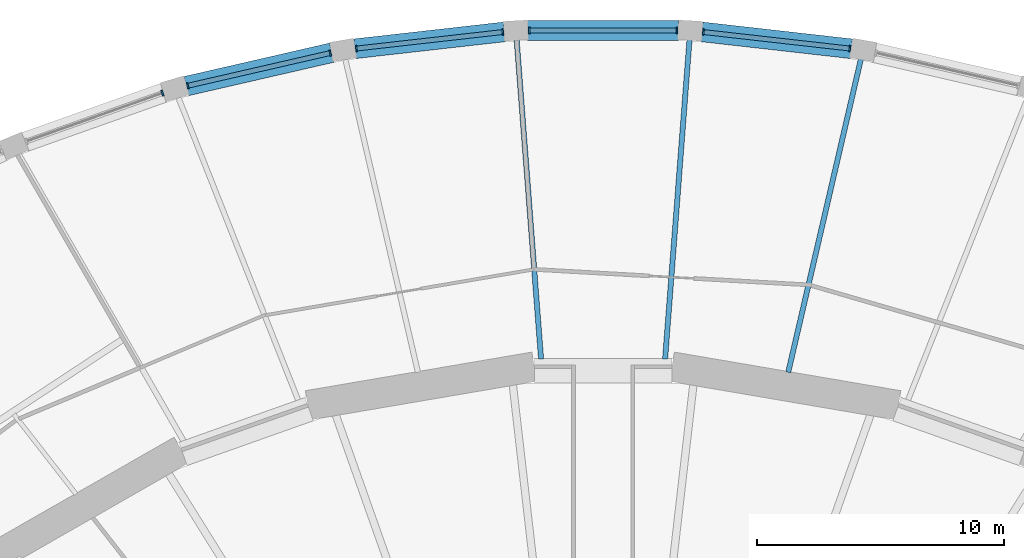
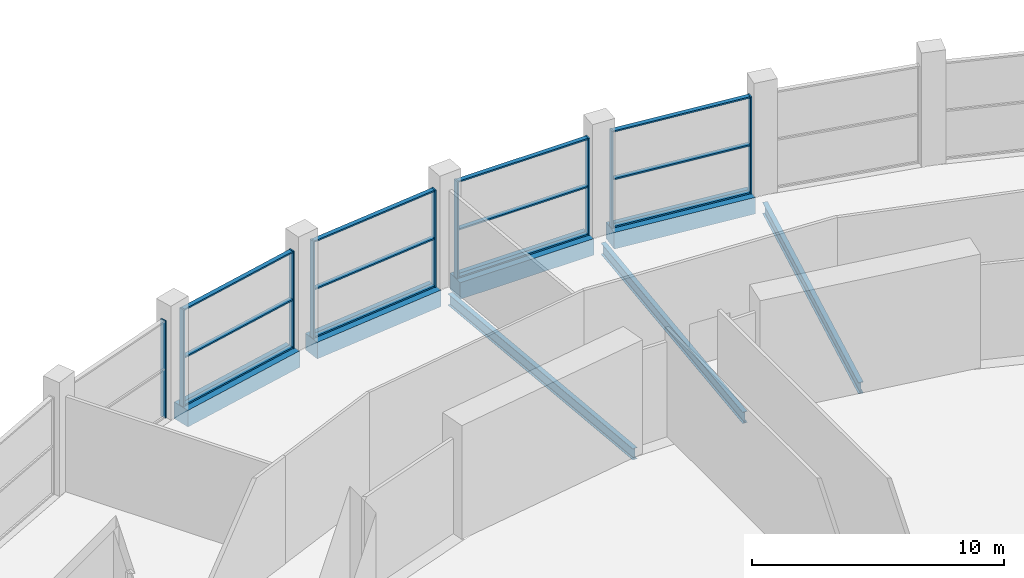
# One storey, part 14 of 26: 21 members, 7 beams, 5 elements without a shape of their own.
"""IFC4 building model written with IfcOpenShell, lengths in metres."""

import ifcopenshell
import ifcopenshell.guid

model = None  # the IFC model being written
_history = None  # IfcOwnerHistory: only IFC2X3 demands one
_inside = {}  # id of a spatial element -> (the spatial element, [elements in it])
_under = {}  # id of a project, library or spatial element -> (it, [spatial elements below it])
_declared = {}  # id of a project -> (the project, [libraries it declares])
_typed = {}  # id of a type object -> (the type object, [elements of that type])
_made_of = {}  # id of a material, layer set ... -> (it, [elements and type objects made of it])


def new_model(schema):
    """Start an empty IFC model of exactly this schema.

    Asked for "IFC4X3", IfcOpenShell would pick the latest addendum, in which some entities
    have other attributes; the version numbers below select the first issue.
    IFC2X3 requires an IfcOwnerHistory on every rooted entity: one is made here for all.
    """
    global model, _history
    if schema == "IFC4X3":
        model = ifcopenshell.file(schema_version=(4, 3, 0, 0))
    else:
        model = ifcopenshell.file(schema=schema)
    _inside.clear()
    _under.clear()
    _declared.clear()
    _typed.clear()
    _made_of.clear()
    _history = None
    if model.schema == "IFC2X3":
        org = make("IfcOrganization", Name="unknown")
        user = make(
            "IfcPersonAndOrganization",
            ThePerson=make("IfcPerson", FamilyName="unknown"),
            TheOrganization=org,
        )
        app = make(
            "IfcApplication",
            ApplicationDeveloper=org,
            Version="unknown",
            ApplicationFullName="unknown",
            ApplicationIdentifier="unknown",
        )
        _history = make(
            "IfcOwnerHistory",
            OwningUser=user,
            OwningApplication=app,
            ChangeAction="ADDED",
            CreationDate=0,
        )
    return model


def make(cls, **values):
    """One entity of the class cls with the attributes given. An attribute that is None is left unset."""
    return model.create_entity(
        cls, **{name: value for name, value in values.items() if value is not None}
    )


def rooted(cls, **values):
    """An entity with a GlobalId (a new one), such as an element, a storey or a relation."""
    return make(cls, GlobalId=ifcopenshell.guid.new(), OwnerHistory=_history, **values)


def si_unit(unit_type, name, prefix=None):
    """IfcSIUnit, for example si_unit("LENGTHUNIT", "METRE", prefix="MILLI")."""
    return make("IfcSIUnit", UnitType=unit_type, Prefix=prefix, Name=name)


def assignment(units):
    """IfcUnitAssignment: the units of a project."""
    return None if units is None else make("IfcUnitAssignment", Units=units)


def point(xyz):
    """IfcCartesianPoint."""
    return None if xyz is None else make("IfcCartesianPoint", Coordinates=xyz)


def direction(xyz):
    """IfcDirection."""
    return None if xyz is None else make("IfcDirection", DirectionRatios=xyz)


def frame(location, z_axis=None, x_axis=None):
    """IfcAxis2Placement3D, a coordinate frame: its origin and axes. An axis left out is left unset."""
    return make(
        "IfcAxis2Placement3D",
        Location=point(location),
        Axis=direction(z_axis),
        RefDirection=direction(x_axis),
    )


def frame_2d(location, x_axis=None):
    """IfcAxis2Placement2D, a coordinate frame in the plane: its origin and x axis."""
    return make(
        "IfcAxis2Placement2D", Location=point(location), RefDirection=direction(x_axis)
    )


def origin():
    """The frame at (0, 0, 0) with its axes left unset."""
    return frame((0.0, 0.0, 0.0))


def origin_2d():
    """The frame at (0, 0) in the plane with its x axis left unset."""
    return frame_2d((0.0, 0.0))


def place(relative_to, where):
    """IfcLocalPlacement: puts the frame where relative to a parent placement (None: the world)."""
    return make(
        "IfcLocalPlacement", PlacementRelTo=relative_to, RelativePlacement=where
    )


def context(
    kind, dimensions, precision=None, world=None, true_north=None, identifier=None
):
    """IfcGeometricRepresentationContext, for example the 3D "Model" context."""
    return make(
        "IfcGeometricRepresentationContext",
        ContextIdentifier=identifier,
        ContextType=kind,
        CoordinateSpaceDimension=dimensions,
        Precision=precision,
        WorldCoordinateSystem=world,
        TrueNorth=true_north,
    )


def subcontext(parent, identifier, kind, view, scale=None):
    """IfcGeometricRepresentationSubContext, for example "Body" below "Model"."""
    return make(
        "IfcGeometricRepresentationSubContext",
        ContextIdentifier=identifier,
        ContextType=kind,
        ParentContext=parent,
        TargetScale=scale,
        TargetView=view,
    )


def project(units=None, contexts=None):
    """IfcProject with its units and contexts."""
    return rooted(
        "IfcProject",
        Name="project",
        RepresentationContexts=contexts,
        UnitsInContext=assignment(units),
    )


def spatial(cls, under=None, at=None, **own):
    """A site, building, storey or space (cls), placed at a placement, below another one or the project."""
    s = rooted(cls, ObjectPlacement=at, **own)
    if under is not None:
        _under.setdefault(under.id(), (under, []))[1].append(s)
    return s


def profile(cls, at=None, kind="AREA", **sizes):
    """A parametric profile (cls). Its sizes go by their IFC names, for example OverallWidth=200.0."""
    return make(cls, ProfileType=kind, Position=at, **sizes)


def rectangle(**sizes):
    """IfcRectangleProfileDef."""
    return profile("IfcRectangleProfileDef", **sizes)


def i_section(**sizes):
    """IfcIShapeProfileDef."""
    return profile("IfcIShapeProfileDef", **sizes)


def extrude(swept, where, along, depth):
    """IfcExtrudedAreaSolid: the profile swept, set in the frame where, extruded along a direction by depth."""
    return make(
        "IfcExtrudedAreaSolid",
        SweptArea=swept,
        Position=where,
        ExtrudedDirection=direction(along),
        Depth=depth,
    )


def shape(context_of_items, identifier, shape_type, items):
    """IfcShapeRepresentation: the items that make up one representation, for example the "Body"."""
    return make(
        "IfcShapeRepresentation",
        ContextOfItems=context_of_items,
        RepresentationIdentifier=identifier,
        RepresentationType=shape_type,
        Items=items,
    )


def material(Name=None, Category=None):
    """IfcMaterial."""
    return make("IfcMaterial", Name=Name, Category=Category)


def material_profile(
    of_material, cross_section, Name=None, Category=None, Priority=None
):
    """IfcMaterialProfile: a cross section and its material."""
    return make(
        "IfcMaterialProfile",
        Name=Name,
        Material=of_material,
        Profile=cross_section,
        Priority=Priority,
        Category=Category,
    )


def profile_set(profiles, Name=None, composite=None):
    """IfcMaterialProfileSet."""
    return make(
        "IfcMaterialProfileSet",
        Name=Name,
        MaterialProfiles=profiles,
        CompositeProfile=composite,
    )


def made_of(thing, what):
    """Note that an element or type object is made of a material, layer set ...; save() writes the relation."""
    if what is not None:
        _made_of.setdefault(what.id(), (what, []))[1].append(thing)
    return thing


def type_object(cls, material=None, **own):
    """A type object (cls), such as IfcWallType, which elements share."""
    return made_of(rooted(cls, **own), material)


def element(
    cls,
    number,
    at=None,
    inside=None,
    cuts=None,
    type_object=None,
    material=None,
    context=None,
    identifier="Body",
    shape_type=None,
    held_by="IfcProductDefinitionShape",
    body=None,
    shapes=None,
    **own,
):
    """One element of the class cls, such as IfcWall. Its Tag is "e" and its number.

    at: its placement. inside: the storey or other place that contains it. cuts: it is an
    opening in that element (IfcRelVoidsElement). A single representation is given by context,
    identifier, shape_type and body (its items); several are given by shapes. held_by: the class
    of the entity that holds the representations. save() writes the other relations.
    """
    e = rooted(cls, Tag="e%d" % number, ObjectPlacement=at, **own)
    if body is not None:
        shapes = [shape(context, identifier, shape_type, body)]
    if shapes is not None:
        e.Representation = make(held_by, Representations=shapes)
    if inside is not None:
        _inside.setdefault(inside.id(), (inside, []))[1].append(e)
    if cuts is not None:
        rooted(
            "IfcRelVoidsElement", RelatingBuildingElement=cuts, RelatedOpeningElement=e
        )
    if type_object is not None:
        _typed.setdefault(type_object.id(), (type_object, []))[1].append(e)
    return made_of(e, material)


def aggregate(whole, parts):
    """IfcRelAggregates: a whole, such as a stair, and the parts it consists of."""
    return rooted("IfcRelAggregates", RelatingObject=whole, RelatedObjects=parts)


def save(model, path):
    """Write the relations noted so far, then the file.

    IfcRelAggregates (storeys below a building ...), IfcRelContainedInSpatialStructure (elements
    in a storey), IfcRelDefinesByType, IfcRelAssociatesMaterial and IfcRelDeclares: one each for
    every whole, place, type object, material and project.
    """
    for whole, parts in _under.values():
        aggregate(whole, parts)
    for where, things in _inside.values():
        rooted(
            "IfcRelContainedInSpatialStructure",
            RelatedElements=things,
            RelatingStructure=where,
        )
    for kind, things in _typed.values():
        rooted("IfcRelDefinesByType", RelatedObjects=things, RelatingType=kind)
    for what, things in _made_of.values():
        rooted("IfcRelAssociatesMaterial", RelatedObjects=things, RelatingMaterial=what)
    for by, libraries in _declared.values():
        rooted("IfcRelDeclares", RelatingContext=by, RelatedDefinitions=libraries)
    model.write(path)


model = new_model("IFC4")

# Units and contexts
model_context = context("Model", 3, precision=1e-05, world=origin(), true_north=direction((0.0, 1.0)))
body_context = subcontext(model_context, "Body", "Model", "MODEL_VIEW")
ifc_project = project(units=[si_unit("LENGTHUNIT", "METRE"), si_unit("AREAUNIT", "SQUARE_METRE"), si_unit("VOLUMEUNIT", "CUBIC_METRE"), si_unit("PLANEANGLEUNIT", "RADIAN"), si_unit("MASSUNIT", "GRAM", prefix="KILO")], contexts=[model_context])

# Site, building, storey
site_placement = place(None, origin())
site = spatial("IfcSite", under=ifc_project, at=site_placement, CompositionType="ELEMENT")
building_placement = place(site_placement, origin())
building = spatial("IfcBuilding", under=site, at=building_placement, Name="Halqa Exchange Tower", CompositionType="ELEMENT")
storey_placement = place(building_placement, frame((0.0, 0.0, 18.0)))
storey = spatial("IfcBuildingStorey", under=building, at=storey_placement, Name="L03", CompositionType="ELEMENT", Elevation=18.0)

# Curtain wall, members
ifc_material_1 = material(Name="Anodised aluminium and clear glass", Category="aluminium")
curtain_wall_type = type_object("IfcCurtainWallType", Name="Exchange hall glazing", PredefinedType="NOTDEFINED", material=ifc_material_1)
curtain_wall_1_placement = place(storey_placement, origin())
curtain_wall_1 = element("IfcCurtainWall", 1, at=curtain_wall_1_placement, inside=storey, type_object=curtain_wall_type, Name="Exchange hall glazing run P11", PredefinedType="NOTDEFINED")
ifc_material_2 = material(Name="Anodised aluminium", Category="aluminium")
ifc_material_profile_1 = material_profile(ifc_material_2, rectangle(XDim=0.25, YDim=0.070068359375, at=origin_2d()), Name="AL 70x250")
ifc_profile_set_1 = profile_set([ifc_material_profile_1], Name="Anodised aluminium")
member_type_1 = type_object("IfcMemberType", Name="Exchange hall glazing mullion 70 x 250", PredefinedType="MULLION", material=ifc_profile_set_1)
member_1_placement = place(storey_placement, frame((10.00341796875, 45.470458984375, 0.0), z_axis=(0.0, 0.0, 1.0), x_axis=(-0.112159098874, -0.993690261872, 0.0)))
member_1 = element("IfcMember", 2, at=member_1_placement, type_object=member_type_1, Name="P11 mullion 1", PredefinedType="MULLION", context=body_context, shape_type="SweptSolid", body=[
    extrude(rectangle(XDim=0.25, YDim=0.070068359375, at=origin_2d()), origin(), (0.0, 0.0, 1.0), 4.699951171875),
])
member_2_placement = place(storey_placement, frame((4.0634765625, 46.140869140625, 0.0), z_axis=(0.0, 0.0, 1.0), x_axis=(-0.112159098874, -0.993690261872, 0.0)))
member_2 = element("IfcMember", 3, at=member_2_placement, type_object=member_type_1, Name="P11 mullion 2", PredefinedType="MULLION", context=body_context, shape_type="SweptSolid", body=[
    extrude(rectangle(XDim=0.25, YDim=0.070068359375, at=origin_2d()), origin(), (0.0, 0.0, 1.0), 4.699951171875),
])

curtain_wall_2_placement = place(storey_placement, origin())
curtain_wall_2 = element("IfcCurtainWall", 4, at=curtain_wall_2_placement, inside=storey, type_object=curtain_wall_type, Name="Exchange hall glazing run P12", PredefinedType="NOTDEFINED")
member_3_placement = place(storey_placement, frame((2.996826171875, 46.200927734375, 0.0), z_axis=(0.0, 0.0, 1.0), x_axis=(0.0, -1.0, 0.0)))
member_3 = element("IfcMember", 5, at=member_3_placement, type_object=member_type_1, Name="P12 mullion 1", PredefinedType="MULLION", context=body_context, shape_type="SweptSolid", body=[
    extrude(rectangle(XDim=0.25, YDim=0.070068359375, at=origin_2d()), origin(), (0.0, 0.0, 1.0), 4.699951171875),
])
member_4_placement = place(storey_placement, frame((-2.996826171875, 46.200927734375, 0.0), z_axis=(0.0, 0.0, 1.0), x_axis=(0.0, -1.0, 0.0)))
member_4 = element("IfcMember", 6, at=member_4_placement, type_object=member_type_1, Name="P12 mullion 2", PredefinedType="MULLION", context=body_context, shape_type="SweptSolid", body=[
    extrude(rectangle(XDim=0.25, YDim=0.070068359375, at=origin_2d()), origin(), (0.0, 0.0, 1.0), 4.699951171875),
])

curtain_wall_3_placement = place(storey_placement, origin())
curtain_wall_3 = element("IfcCurtainWall", 7, at=curtain_wall_3_placement, inside=storey, type_object=curtain_wall_type, Name="Exchange hall glazing run P13", PredefinedType="NOTDEFINED")
member_5_placement = place(storey_placement, frame((-4.0634765625, 46.140869140625, 0.0), z_axis=(0.0, 0.0, 1.0), x_axis=(0.112159098874, -0.993690261872, 0.0)))
member_5 = element("IfcMember", 8, at=member_5_placement, type_object=member_type_1, Name="P13 mullion 1", PredefinedType="MULLION", context=body_context, shape_type="SweptSolid", body=[
    extrude(rectangle(XDim=0.25, YDim=0.070068359375, at=origin_2d()), origin(), (0.0, 0.0, 1.0), 4.699951171875),
])
member_6_placement = place(storey_placement, frame((-10.00341796875, 45.470458984375, 0.0), z_axis=(0.0, 0.0, 1.0), x_axis=(0.112159098874, -0.993690261872, 0.0)))
member_6 = element("IfcMember", 9, at=member_6_placement, type_object=member_type_1, Name="P13 mullion 2", PredefinedType="MULLION", context=body_context, shape_type="SweptSolid", body=[
    extrude(rectangle(XDim=0.25, YDim=0.070068359375, at=origin_2d()), origin(), (0.0, 0.0, 1.0), 4.699951171875),
])

curtain_wall_4_placement = place(storey_placement, origin())
curtain_wall_4 = element("IfcCurtainWall", 10, at=curtain_wall_4_placement, inside=storey, type_object=curtain_wall_type, Name="Exchange hall glazing run P14", PredefinedType="NOTDEFINED")
member_7_placement = place(storey_placement, frame((-11.056396484375, 45.29052734375, 0.0), z_axis=(0.0, 0.0, 1.0), x_axis=(0.223896655269, -0.974612891234, 0.0)))
member_7 = element("IfcMember", 11, at=member_7_placement, type_object=member_type_1, Name="P14 mullion 1", PredefinedType="MULLION", context=body_context, shape_type="SweptSolid", body=[
    extrude(rectangle(XDim=0.25, YDim=0.070068359375, at=origin_2d()), origin(), (0.0, 0.0, 1.0), 4.699951171875),
])
member_8_placement = place(storey_placement, frame((-16.836181640625, 43.962646484375, 0.0), z_axis=(0.0, 0.0, 1.0), x_axis=(0.223896655269, -0.974612891234, 0.0)))
member_8 = element("IfcMember", 12, at=member_8_placement, type_object=member_type_1, Name="P14 mullion 2", PredefinedType="MULLION", context=body_context, shape_type="SweptSolid", body=[
    extrude(rectangle(XDim=0.25, YDim=0.070068359375, at=origin_2d()), origin(), (0.0, 0.0, 1.0), 4.699951171875),
])

# Curtain wall, member
curtain_wall_5_placement = place(storey_placement, origin())
curtain_wall_5 = element("IfcCurtainWall", 13, at=curtain_wall_5_placement, inside=storey, type_object=curtain_wall_type, Name="Exchange hall glazing run P15", PredefinedType="NOTDEFINED")
member_9_placement = place(storey_placement, frame((-17.86181640625, 43.663818359375, 0.0), z_axis=(0.0, 0.0, 1.0), x_axis=(0.334688348326, -0.942328875444, 0.0)))
member_9 = element("IfcMember", 14, at=member_9_placement, type_object=member_type_1, Name="P15 mullion 1", PredefinedType="MULLION", context=body_context, shape_type="SweptSolid", body=[
    extrude(rectangle(XDim=0.25, YDim=0.070068359375, at=origin_2d()), origin(), (0.0, 0.0, 1.0), 4.699951171875),
])
aggregate(curtain_wall_5, [member_9])

# Member
ifc_material_profile_2 = material_profile(ifc_material_2, rectangle(XDim=0.199951171875, YDim=0.070068359375, at=origin_2d()), Name="AL 70x200")
ifc_profile_set_2 = profile_set([ifc_material_profile_2], Name="Anodised aluminium")
member_type_2 = type_object("IfcMemberType", Name="Exchange hall glazing transom 70 x 200", PredefinedType="USERDEFINED", material=ifc_profile_set_2)
member_10_placement = place(storey_placement, frame((9.968505859375, 45.474365234375, 0.034912109375), z_axis=(-0.993690216271, 0.112159502889, 0.0), x_axis=(-0.112159502889, -0.993690216271, 0.0)))
member_10 = element("IfcMember", 15, at=member_10_placement, type_object=member_type_2, Name="P11 transom 1.1", ObjectType="TRANSOM", PredefinedType="USERDEFINED", context=body_context, shape_type="SweptSolid", body=[
    extrude(rectangle(XDim=0.199951171875, YDim=0.070068359375, at=origin_2d()), origin(), (0.0, 0.0, 1.0), 5.90771484375),
])

member_11_placement = place(storey_placement, frame((9.968505859375, 45.474365234375, 2.35009765625), z_axis=(-0.993690216271, 0.112159502889, 0.0), x_axis=(-0.112159502889, -0.993690216271, 0.0)))
member_11 = element("IfcMember", 16, at=member_11_placement, type_object=member_type_2, Name="P11 transom 1.2", ObjectType="TRANSOM", PredefinedType="USERDEFINED", context=body_context, shape_type="SweptSolid", body=[
    extrude(rectangle(XDim=0.199951171875, YDim=0.070068359375, at=origin_2d()), origin(), (0.0, 0.0, 1.0), 5.90771484375),
])

member_12_placement = place(storey_placement, frame((9.968505859375, 45.474365234375, 4.6650390625), z_axis=(-0.993690216271, 0.112159502889, 0.0), x_axis=(-0.112159502889, -0.993690216271, 0.0)))
member_12 = element("IfcMember", 17, at=member_12_placement, type_object=member_type_2, Name="P11 transom 1.3", ObjectType="TRANSOM", PredefinedType="USERDEFINED", context=body_context, shape_type="SweptSolid", body=[
    extrude(rectangle(XDim=0.199951171875, YDim=0.070068359375, at=origin_2d()), origin(), (0.0, 0.0, 1.0), 5.90771484375),
])

aggregate(curtain_wall_1, [member_1, member_2, member_10, member_11, member_12])

member_13_placement = place(storey_placement, frame((2.9619140625, 46.200927734375, 0.034912109375), z_axis=(-1.0, 0.0, 0.0), x_axis=(0.0, -1.0, 0.0)))
member_13 = element("IfcMember", 18, at=member_13_placement, type_object=member_type_2, Name="P12 transom 1.1", ObjectType="TRANSOM", PredefinedType="USERDEFINED", context=body_context, shape_type="SweptSolid", body=[
    extrude(rectangle(XDim=0.199951171875, YDim=0.070068359375, at=origin_2d()), origin(), (0.0, 0.0, 1.0), 5.923828125),
])

member_14_placement = place(storey_placement, frame((2.9619140625, 46.200927734375, 2.35009765625), z_axis=(-1.0, 0.0, 0.0), x_axis=(0.0, -1.0, 0.0)))
member_14 = element("IfcMember", 19, at=member_14_placement, type_object=member_type_2, Name="P12 transom 1.2", ObjectType="TRANSOM", PredefinedType="USERDEFINED", context=body_context, shape_type="SweptSolid", body=[
    extrude(rectangle(XDim=0.199951171875, YDim=0.070068359375, at=origin_2d()), origin(), (0.0, 0.0, 1.0), 5.923828125),
])

member_15_placement = place(storey_placement, frame((2.9619140625, 46.200927734375, 4.6650390625), z_axis=(-1.0, 0.0, 0.0), x_axis=(0.0, -1.0, 0.0)))
member_15 = element("IfcMember", 20, at=member_15_placement, type_object=member_type_2, Name="P12 transom 1.3", ObjectType="TRANSOM", PredefinedType="USERDEFINED", context=body_context, shape_type="SweptSolid", body=[
    extrude(rectangle(XDim=0.199951171875, YDim=0.070068359375, at=origin_2d()), origin(), (0.0, 0.0, 1.0), 5.923828125),
])

aggregate(curtain_wall_2, [member_3, member_4, member_13, member_14, member_15])

member_16_placement = place(storey_placement, frame((-4.09814453125, 46.136962890625, 0.034912109375), z_axis=(-0.993690216271, -0.112159502889, 0.0), x_axis=(0.112159502889, -0.993690216271, 0.0)))
member_16 = element("IfcMember", 21, at=member_16_placement, type_object=member_type_2, Name="P13 transom 1.1", ObjectType="TRANSOM", PredefinedType="USERDEFINED", context=body_context, shape_type="SweptSolid", body=[
    extrude(rectangle(XDim=0.199951171875, YDim=0.070068359375, at=origin_2d()), origin(), (0.0, 0.0, 1.0), 5.90771484375),
])

member_17_placement = place(storey_placement, frame((-4.09814453125, 46.136962890625, 2.35009765625), z_axis=(-0.993690216271, -0.112159502889, 0.0), x_axis=(0.112159502889, -0.993690216271, 0.0)))
member_17 = element("IfcMember", 22, at=member_17_placement, type_object=member_type_2, Name="P13 transom 1.2", ObjectType="TRANSOM", PredefinedType="USERDEFINED", context=body_context, shape_type="SweptSolid", body=[
    extrude(rectangle(XDim=0.199951171875, YDim=0.070068359375, at=origin_2d()), origin(), (0.0, 0.0, 1.0), 5.90771484375),
])

member_18_placement = place(storey_placement, frame((-4.09814453125, 46.136962890625, 4.6650390625), z_axis=(-0.993690216271, -0.112159502889, 0.0), x_axis=(0.112159502889, -0.993690216271, 0.0)))
member_18 = element("IfcMember", 23, at=member_18_placement, type_object=member_type_2, Name="P13 transom 1.3", ObjectType="TRANSOM", PredefinedType="USERDEFINED", context=body_context, shape_type="SweptSolid", body=[
    extrude(rectangle(XDim=0.199951171875, YDim=0.070068359375, at=origin_2d()), origin(), (0.0, 0.0, 1.0), 5.90771484375),
])

aggregate(curtain_wall_3, [member_5, member_6, member_16, member_17, member_18])

member_19_placement = place(storey_placement, frame((-11.09033203125, 45.28271484375, 0.034912109375), z_axis=(-0.974610483498, -0.223907135784, 0.0), x_axis=(0.223907135784, -0.974610483498, 0.0)))
member_19 = element("IfcMember", 24, at=member_19_placement, type_object=member_type_2, Name="P14 transom 1.1", ObjectType="TRANSOM", PredefinedType="USERDEFINED", context=body_context, shape_type="SweptSolid", body=[
    extrude(rectangle(XDim=0.199951171875, YDim=0.070068359375, at=origin_2d()), origin(), (0.0, 0.0, 1.0), 5.860595703125),
])

member_20_placement = place(storey_placement, frame((-11.09033203125, 45.28271484375, 2.35009765625), z_axis=(-0.974610483498, -0.223907135784, 0.0), x_axis=(0.223907135784, -0.974610483498, 0.0)))
member_20 = element("IfcMember", 25, at=member_20_placement, type_object=member_type_2, Name="P14 transom 1.2", ObjectType="TRANSOM", PredefinedType="USERDEFINED", context=body_context, shape_type="SweptSolid", body=[
    extrude(rectangle(XDim=0.199951171875, YDim=0.070068359375, at=origin_2d()), origin(), (0.0, 0.0, 1.0), 5.860595703125),
])

member_21_placement = place(storey_placement, frame((-11.09033203125, 45.28271484375, 4.6650390625), z_axis=(-0.974610483498, -0.223907135784, 0.0), x_axis=(0.223907135784, -0.974610483498, 0.0)))
member_21 = element("IfcMember", 26, at=member_21_placement, type_object=member_type_2, Name="P14 transom 1.3", ObjectType="TRANSOM", PredefinedType="USERDEFINED", context=body_context, shape_type="SweptSolid", body=[
    extrude(rectangle(XDim=0.199951171875, YDim=0.070068359375, at=origin_2d()), origin(), (0.0, 0.0, 1.0), 5.860595703125),
])

aggregate(curtain_wall_4, [member_7, member_8, member_19, member_20, member_21])

# Beams
ifc_material_3 = material(Name="Steel S355", Category="steel")
ifc_material_profile_3 = material_profile(ifc_material_3, i_section(OverallWidth=0.2099609375, OverallDepth=0.550048828125, WebThickness=0.010986328125, FlangeThickness=0.01708984375, FilletRadius=0.02392578125, at=origin_2d()), Name="IPE 550")
ifc_profile_set_3 = profile_set([ifc_material_profile_3], Name="Steel S355")
beam_type_1 = type_object("IfcBeamType", Name="Floor beam IPE 550", PredefinedType="BEAM", material=ifc_profile_set_3)
beam_1_placement = place(storey_placement, frame((7.5048828125, 32.35009765625, -0.625), z_axis=(0.2259960959, 0.974128207495, 0.0), x_axis=(-0.974128207495, 0.2259960959, 0.0)))
element("IfcBeam", 27, at=beam_1_placement, inside=storey, type_object=beam_type_1, Name="Radial beam 11", PredefinedType="BEAM", context=body_context, shape_type="SweptSolid", body=[
    extrude(i_section(OverallWidth=0.2099609375, OverallDepth=0.550048828125, WebThickness=0.010986328125, FlangeThickness=0.01708984375, FilletRadius=0.02392578125, at=origin_2d()), origin(), (0.0, 0.0, 1.0), 13.03466796875),
])
for number, where, z_axis, x_axis, name in (
    (28, (2.513916015625, 32.88623046875, -0.625), (0.076223337155, 0.997090769626, 0.0), (-0.997090769626, 0.076223337155, 0.0), "Radial beam 12"),
    (29, (-2.513916015625, 32.88623046875, -0.625), (-0.076223337155, 0.997090769626, 0.0), (-0.997090769626, -0.076223337155, 0.0), "Radial beam 13"),
):
    element("IfcBeam", number, at=place(storey_placement, frame(where, z_axis=z_axis, x_axis=x_axis)), inside=storey, type_object=beam_type_1, Name=name, PredefinedType="BEAM", context=body_context, shape_type="SweptSolid", body=[
        extrude(i_section(OverallWidth=0.2099609375, OverallDepth=0.550048828125, WebThickness=0.010986328125, FlangeThickness=0.01708984375, FilletRadius=0.02392578125, at=origin_2d()), origin(), (0.0, 0.0, 1.0), 12.981689453125),
    ])
ifc_material_4 = material(Name="Concrete C60/75", Category="concrete")
ifc_material_profile_4 = material_profile(ifc_material_4, rectangle(XDim=0.800048828125, YDim=0.800048828125, at=origin_2d()), Name="800 x 800")
ifc_profile_set_4 = profile_set([ifc_material_profile_4], Name="Concrete C60/75")
beam_type_2 = type_object("IfcBeamType", Name="RC podium edge beam 800 x 800 C60/75", PredefinedType="SPANDREL", material=ifc_profile_set_4)
beam_2_placement = place(storey_placement, frame((10.064453125, 45.46337890625, -0.39990234375), z_axis=(-0.993688954696, 0.112170679393, 0.0), x_axis=(-0.112170679393, -0.993688954696, 0.0)))
element("IfcBeam", 30, at=beam_2_placement, inside=storey, type_object=beam_type_2, Name="Podium edge beam 11", PredefinedType="SPANDREL", context=body_context, shape_type="SweptSolid", body=[
    extrude(rectangle(XDim=0.800048828125, YDim=0.800048828125, at=origin_2d()), origin(), (0.0, 0.0, 1.0), 6.100830078125),
])
beam_3_placement = place(storey_placement, frame((3.05859375, 46.200927734375, -0.39990234375), z_axis=(-1.0, 0.0, 0.0), x_axis=(0.0, -1.0, 0.0)))
element("IfcBeam", 31, at=beam_3_placement, inside=storey, type_object=beam_type_2, Name="Podium edge beam 12", PredefinedType="SPANDREL", context=body_context, shape_type="SweptSolid", body=[
    extrude(rectangle(XDim=0.800048828125, YDim=0.800048828125, at=origin_2d()), origin(), (0.0, 0.0, 1.0), 6.1171875),
])
beam_4_placement = place(storey_placement, frame((-4.002197265625, 46.147705078125, -0.39990234375), z_axis=(-0.993688954696, -0.112170679393, 0.0), x_axis=(0.112170679393, -0.993688954696, 0.0)))
element("IfcBeam", 32, at=beam_4_placement, inside=storey, type_object=beam_type_2, Name="Podium edge beam 13", PredefinedType="SPANDREL", context=body_context, shape_type="SweptSolid", body=[
    extrude(rectangle(XDim=0.800048828125, YDim=0.800048828125, at=origin_2d()), origin(), (0.0, 0.0, 1.0), 6.100830078125),
])
beam_5_placement = place(storey_placement, frame((-10.99658203125, 45.304443359375, -0.39990234375), z_axis=(-0.974604133477, -0.223934774008, 0.0), x_axis=(0.223934774008, -0.974604133477, 0.0)))
element("IfcBeam", 33, at=beam_5_placement, inside=storey, type_object=beam_type_2, Name="Podium edge beam 14", PredefinedType="SPANDREL", context=body_context, shape_type="SweptSolid", body=[
    extrude(rectangle(XDim=0.800048828125, YDim=0.800048828125, at=origin_2d()), origin(), (0.0, 0.0, 1.0), 6.05517578125),
])

save(model, "model.ifc")
